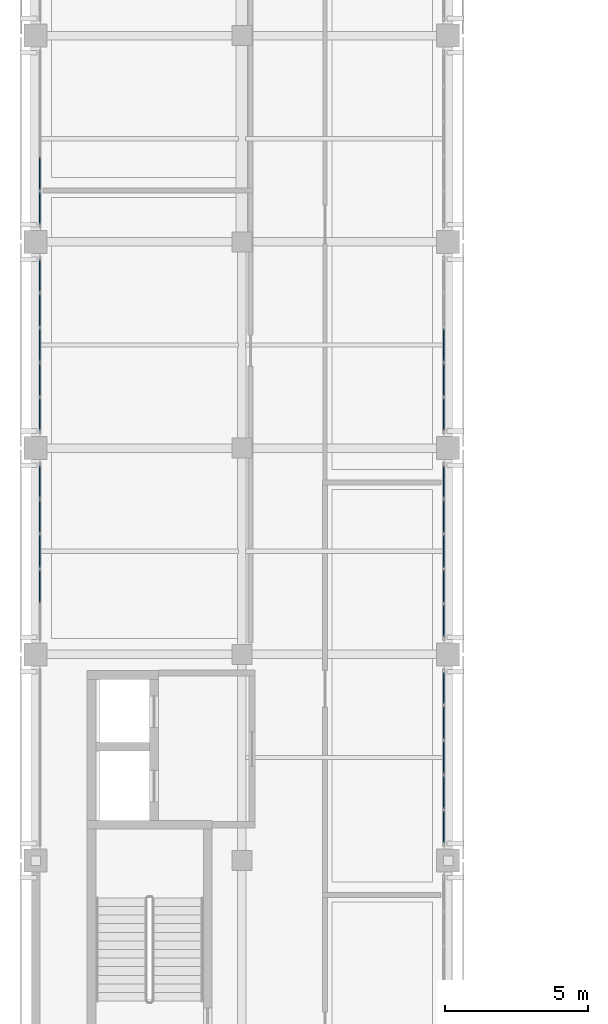
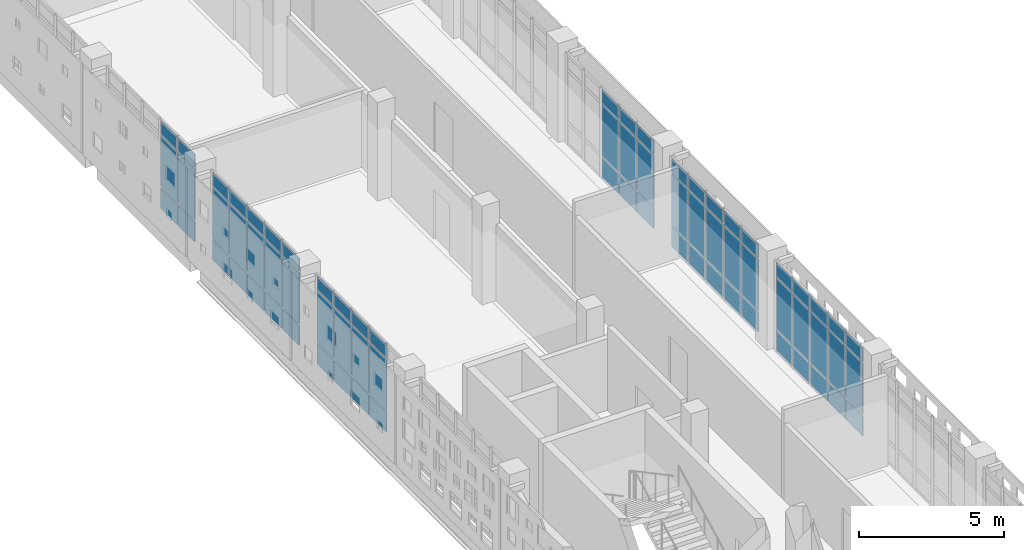
# One storey, part 19 of 33: 72 plates, 6 elements without a shape of their own.
"""IFC4 building model written with IfcOpenShell, lengths in metres."""

from ifc_helpers import new_model, si_unit, direction, frame, origin, origin_2d, place, context, subcontext, project, spatial, rectangle, extrude, material, layer, layer_set, type_object, element, aggregate, save


model = new_model("IFC4")

# Units and contexts
model_context = context("Model", 3, precision=1e-05, world=origin(), true_north=direction((0.0, 1.0)))
body_context = subcontext(model_context, "Body", "Model", "MODEL_VIEW")
ifc_project = project(units=[si_unit("LENGTHUNIT", "METRE"), si_unit("AREAUNIT", "SQUARE_METRE"), si_unit("VOLUMEUNIT", "CUBIC_METRE"), si_unit("PLANEANGLEUNIT", "RADIAN"), si_unit("MASSUNIT", "GRAM", prefix="KILO")], contexts=[model_context])

# Site, building, storey
site_placement = place(None, origin())
site = spatial("IfcSite", under=ifc_project, at=site_placement, CompositionType="ELEMENT")
building_placement = place(site_placement, origin())
building = spatial("IfcBuilding", under=site, at=building_placement, Name="Valkovuoma Quantum and Materials Research Institute", CompositionType="ELEMENT")
storey_placement = place(building_placement, frame((0.0, 0.0, 25.60009765625)))
storey = spatial("IfcBuildingStorey", under=building, at=storey_placement, Name="L06", CompositionType="ELEMENT", Elevation=25.60009765625)

# Curtain wall, plates
ifc_material_1 = material(Name="Thermally broken aluminium and triple low-E glazing", Category="aluminium")
ifc_layer_1 = layer(ifc_material_1, 0.219970703125)
ifc_layer_set_1 = layer_set([ifc_layer_1], Name="Thermally broken aluminium and triple low-E glazing")
curtain_wall_type = type_object("IfcCurtainWallType", Name="CW-CW-01", PredefinedType="NOTDEFINED", material=ifc_layer_set_1)
curtain_wall_1_placement = place(storey_placement, origin())
curtain_wall_1 = element("IfcCurtainWall", 1, at=curtain_wall_1_placement, inside=storey, type_object=curtain_wall_type, Name="L06 curtain wall 078", PredefinedType="NOTDEFINED")
ifc_material_2 = material(Name="Triple low-E argon insulating glass", Category="glass")
ifc_layer_2 = layer(ifc_material_2, 0.035888671875)
ifc_layer_set_2 = layer_set([ifc_layer_2], Name="Triple low-E argon insulating glass")
plate_type_1 = type_object("IfcPlateType", Name="CWPanel-CWP-01", PredefinedType="CURTAIN_PANEL", material=ifc_layer_set_2)
plate_1_placement = place(storey_placement, frame((0.14990234375, 45.582763671875, 0.06494140625), z_axis=(0.0, 0.0, 1.0), x_axis=(0.0, 1.0, 0.0)))
plate_1 = element("IfcPlate", 2, at=plate_1_placement, type_object=plate_type_1, Name="CW-01 panel 2.1", PredefinedType="CURTAIN_PANEL", context=body_context, shape_type="SweptSolid", body=[
    extrude(rectangle(XDim=1.152099609375, YDim=0.035888671875, at=origin_2d()), origin(), (0.0, 0.0, 1.0), 0.8525390625),
])
plate_2_placement = place(storey_placement, frame((0.14990234375, 45.582763671875, 0.982421875), z_axis=(0.0, 0.0, 1.0), x_axis=(0.0, 1.0, 0.0)))
plate_2 = element("IfcPlate", 3, at=plate_2_placement, type_object=plate_type_1, Name="CW-01 panel 2.2", PredefinedType="CURTAIN_PANEL", context=body_context, shape_type="SweptSolid", body=[
    extrude(rectangle(XDim=1.152099609375, YDim=0.035888671875, at=origin_2d()), origin(), (0.0, 0.0, 1.0), 2.14501953125),
])
plate_3_placement = place(storey_placement, frame((0.14990234375, 45.582763671875, 3.1923828125), z_axis=(0.0, 0.0, 1.0), x_axis=(0.0, 1.0, 0.0)))
plate_3 = element("IfcPlate", 4, at=plate_3_placement, type_object=plate_type_1, Name="CW-01 panel 2.3", PredefinedType="CURTAIN_PANEL", context=body_context, shape_type="SweptSolid", body=[
    extrude(rectangle(XDim=1.152099609375, YDim=0.035888671875, at=origin_2d()), origin(), (0.0, 0.0, 1.0), 0.552490234375),
])
plate_4_placement = place(storey_placement, frame((0.14990234375, 46.800048828125, 0.06494140625), z_axis=(0.0, 0.0, 1.0), x_axis=(0.0, 1.0, 0.0)))
plate_4 = element("IfcPlate", 5, at=plate_4_placement, type_object=plate_type_1, Name="CW-01 panel 3.1", PredefinedType="CURTAIN_PANEL", context=body_context, shape_type="SweptSolid", body=[
    extrude(rectangle(XDim=1.152099609375, YDim=0.035888671875, at=origin_2d()), origin(), (0.0, 0.0, 1.0), 0.8525390625),
])
plate_5_placement = place(storey_placement, frame((0.14990234375, 46.800048828125, 0.982421875), z_axis=(0.0, 0.0, 1.0), x_axis=(0.0, 1.0, 0.0)))
plate_5 = element("IfcPlate", 6, at=plate_5_placement, type_object=plate_type_1, Name="CW-01 panel 3.2", PredefinedType="CURTAIN_PANEL", context=body_context, shape_type="SweptSolid", body=[
    extrude(rectangle(XDim=1.152099609375, YDim=0.035888671875, at=origin_2d()), origin(), (0.0, 0.0, 1.0), 2.14501953125),
])
plate_6_placement = place(storey_placement, frame((0.14990234375, 46.800048828125, 3.1923828125), z_axis=(0.0, 0.0, 1.0), x_axis=(0.0, 1.0, 0.0)))
plate_6 = element("IfcPlate", 7, at=plate_6_placement, type_object=plate_type_1, Name="CW-01 panel 3.3", PredefinedType="CURTAIN_PANEL", context=body_context, shape_type="SweptSolid", body=[
    extrude(rectangle(XDim=1.152099609375, YDim=0.035888671875, at=origin_2d()), origin(), (0.0, 0.0, 1.0), 0.552490234375),
])
plate_7_placement = place(storey_placement, frame((0.14990234375, 48.01708984375, 0.06494140625), z_axis=(0.0, 0.0, 1.0), x_axis=(0.0, 1.0, 0.0)))
plate_7 = element("IfcPlate", 8, at=plate_7_placement, type_object=plate_type_1, Name="CW-01 panel 4.1", PredefinedType="CURTAIN_PANEL", context=body_context, shape_type="SweptSolid", body=[
    extrude(rectangle(XDim=1.152099609375, YDim=0.035888671875, at=origin_2d()), origin(), (0.0, 0.0, 1.0), 0.8525390625),
])
plate_8_placement = place(storey_placement, frame((0.14990234375, 48.01708984375, 0.982421875), z_axis=(0.0, 0.0, 1.0), x_axis=(0.0, 1.0, 0.0)))
plate_8 = element("IfcPlate", 9, at=plate_8_placement, type_object=plate_type_1, Name="CW-01 panel 4.2", PredefinedType="CURTAIN_PANEL", context=body_context, shape_type="SweptSolid", body=[
    extrude(rectangle(XDim=1.152099609375, YDim=0.035888671875, at=origin_2d()), origin(), (0.0, 0.0, 1.0), 2.14501953125),
])
plate_9_placement = place(storey_placement, frame((0.14990234375, 48.01708984375, 3.1923828125), z_axis=(0.0, 0.0, 1.0), x_axis=(0.0, 1.0, 0.0)))
plate_9 = element("IfcPlate", 10, at=plate_9_placement, type_object=plate_type_1, Name="CW-01 panel 4.3", PredefinedType="CURTAIN_PANEL", context=body_context, shape_type="SweptSolid", body=[
    extrude(rectangle(XDim=1.152099609375, YDim=0.035888671875, at=origin_2d()), origin(), (0.0, 0.0, 1.0), 0.552490234375),
])
plate_10_placement = place(storey_placement, frame((0.14990234375, 49.218017578125, 0.06494140625), z_axis=(0.0, 0.0, 1.0), x_axis=(0.0, 1.0, 0.0)))
plate_10 = element("IfcPlate", 11, at=plate_10_placement, type_object=plate_type_1, Name="CW-01 panel 5.1", PredefinedType="CURTAIN_PANEL", context=body_context, shape_type="SweptSolid", body=[
    extrude(rectangle(XDim=1.11962890625, YDim=0.035888671875, at=origin_2d()), origin(), (0.0, 0.0, 1.0), 0.8525390625),
])
plate_11_placement = place(storey_placement, frame((0.14990234375, 49.218017578125, 0.982421875), z_axis=(0.0, 0.0, 1.0), x_axis=(0.0, 1.0, 0.0)))
plate_11 = element("IfcPlate", 12, at=plate_11_placement, type_object=plate_type_1, Name="CW-01 panel 5.2", PredefinedType="CURTAIN_PANEL", context=body_context, shape_type="SweptSolid", body=[
    extrude(rectangle(XDim=1.11962890625, YDim=0.035888671875, at=origin_2d()), origin(), (0.0, 0.0, 1.0), 2.14501953125),
])
plate_12_placement = place(storey_placement, frame((0.14990234375, 49.218017578125, 3.1923828125), z_axis=(0.0, 0.0, 1.0), x_axis=(0.0, 1.0, 0.0)))
plate_12 = element("IfcPlate", 13, at=plate_12_placement, type_object=plate_type_1, Name="CW-01 panel 5.3", PredefinedType="CURTAIN_PANEL", context=body_context, shape_type="SweptSolid", body=[
    extrude(rectangle(XDim=1.11962890625, YDim=0.035888671875, at=origin_2d()), origin(), (0.0, 0.0, 1.0), 0.552490234375),
])
aggregate(curtain_wall_1, [plate_1, plate_2, plate_3, plate_4, plate_5, plate_6, plate_7, plate_8, plate_9, plate_10, plate_11, plate_12])

curtain_wall_2_placement = place(storey_placement, origin())
curtain_wall_2 = element("IfcCurtainWall", 14, at=curtain_wall_2_placement, inside=storey, type_object=curtain_wall_type, Name="L06 curtain wall 080", PredefinedType="NOTDEFINED")
plate_13_placement = place(storey_placement, frame((0.14990234375, 51.58203125, 0.06494140625), z_axis=(0.0, 0.0, 1.0), x_axis=(0.0, 1.0, 0.0)))
plate_13 = element("IfcPlate", 15, at=plate_13_placement, type_object=plate_type_1, Name="CW-01 panel 1.1", PredefinedType="CURTAIN_PANEL", context=body_context, shape_type="SweptSolid", body=[
    extrude(rectangle(XDim=1.11962890625, YDim=0.035888671875, at=origin_2d()), origin(), (0.0, 0.0, 1.0), 0.8525390625),
])
plate_14_placement = place(storey_placement, frame((0.14990234375, 51.58203125, 0.982421875), z_axis=(0.0, 0.0, 1.0), x_axis=(0.0, 1.0, 0.0)))
plate_14 = element("IfcPlate", 16, at=plate_14_placement, type_object=plate_type_1, Name="CW-01 panel 1.2", PredefinedType="CURTAIN_PANEL", context=body_context, shape_type="SweptSolid", body=[
    extrude(rectangle(XDim=1.11962890625, YDim=0.035888671875, at=origin_2d()), origin(), (0.0, 0.0, 1.0), 2.14501953125),
])
plate_15_placement = place(storey_placement, frame((0.14990234375, 51.58203125, 3.1923828125), z_axis=(0.0, 0.0, 1.0), x_axis=(0.0, 1.0, 0.0)))
plate_15 = element("IfcPlate", 17, at=plate_15_placement, type_object=plate_type_1, Name="CW-01 panel 1.3", PredefinedType="CURTAIN_PANEL", context=body_context, shape_type="SweptSolid", body=[
    extrude(rectangle(XDim=1.11962890625, YDim=0.035888671875, at=origin_2d()), origin(), (0.0, 0.0, 1.0), 0.552490234375),
])
plate_16_placement = place(storey_placement, frame((0.14990234375, 52.782958984375, 0.06494140625), z_axis=(0.0, 0.0, 1.0), x_axis=(0.0, 1.0, 0.0)))
plate_16 = element("IfcPlate", 18, at=plate_16_placement, type_object=plate_type_1, Name="CW-01 panel 2.1", PredefinedType="CURTAIN_PANEL", context=body_context, shape_type="SweptSolid", body=[
    extrude(rectangle(XDim=1.152099609375, YDim=0.035888671875, at=origin_2d()), origin(), (0.0, 0.0, 1.0), 0.8525390625),
])
plate_17_placement = place(storey_placement, frame((0.14990234375, 52.782958984375, 0.982421875), z_axis=(0.0, 0.0, 1.0), x_axis=(0.0, 1.0, 0.0)))
plate_17 = element("IfcPlate", 19, at=plate_17_placement, type_object=plate_type_1, Name="CW-01 panel 2.2", PredefinedType="CURTAIN_PANEL", context=body_context, shape_type="SweptSolid", body=[
    extrude(rectangle(XDim=1.152099609375, YDim=0.035888671875, at=origin_2d()), origin(), (0.0, 0.0, 1.0), 2.14501953125),
])
plate_18_placement = place(storey_placement, frame((0.14990234375, 52.782958984375, 3.1923828125), z_axis=(0.0, 0.0, 1.0), x_axis=(0.0, 1.0, 0.0)))
plate_18 = element("IfcPlate", 20, at=plate_18_placement, type_object=plate_type_1, Name="CW-01 panel 2.3", PredefinedType="CURTAIN_PANEL", context=body_context, shape_type="SweptSolid", body=[
    extrude(rectangle(XDim=1.152099609375, YDim=0.035888671875, at=origin_2d()), origin(), (0.0, 0.0, 1.0), 0.552490234375),
])
plate_19_placement = place(storey_placement, frame((0.14990234375, 54.0, 0.06494140625), z_axis=(0.0, 0.0, 1.0), x_axis=(0.0, 1.0, 0.0)))
plate_19 = element("IfcPlate", 21, at=plate_19_placement, type_object=plate_type_1, Name="CW-01 panel 3.1", PredefinedType="CURTAIN_PANEL", context=body_context, shape_type="SweptSolid", body=[
    extrude(rectangle(XDim=1.152099609375, YDim=0.035888671875, at=origin_2d()), origin(), (0.0, 0.0, 1.0), 0.8525390625),
])
plate_20_placement = place(storey_placement, frame((0.14990234375, 54.0, 0.982421875), z_axis=(0.0, 0.0, 1.0), x_axis=(0.0, 1.0, 0.0)))
plate_20 = element("IfcPlate", 22, at=plate_20_placement, type_object=plate_type_1, Name="CW-01 panel 3.2", PredefinedType="CURTAIN_PANEL", context=body_context, shape_type="SweptSolid", body=[
    extrude(rectangle(XDim=1.152099609375, YDim=0.035888671875, at=origin_2d()), origin(), (0.0, 0.0, 1.0), 2.14501953125),
])
plate_21_placement = place(storey_placement, frame((0.14990234375, 54.0, 3.1923828125), z_axis=(0.0, 0.0, 1.0), x_axis=(0.0, 1.0, 0.0)))
plate_21 = element("IfcPlate", 23, at=plate_21_placement, type_object=plate_type_1, Name="CW-01 panel 3.3", PredefinedType="CURTAIN_PANEL", context=body_context, shape_type="SweptSolid", body=[
    extrude(rectangle(XDim=1.152099609375, YDim=0.035888671875, at=origin_2d()), origin(), (0.0, 0.0, 1.0), 0.552490234375),
])
plate_22_placement = place(storey_placement, frame((0.14990234375, 55.217041015625, 0.06494140625), z_axis=(0.0, 0.0, 1.0), x_axis=(0.0, 1.0, 0.0)))
plate_22 = element("IfcPlate", 24, at=plate_22_placement, type_object=plate_type_1, Name="CW-01 panel 4.1", PredefinedType="CURTAIN_PANEL", context=body_context, shape_type="SweptSolid", body=[
    extrude(rectangle(XDim=1.152099609375, YDim=0.035888671875, at=origin_2d()), origin(), (0.0, 0.0, 1.0), 0.8525390625),
])
plate_23_placement = place(storey_placement, frame((0.14990234375, 55.217041015625, 0.982421875), z_axis=(0.0, 0.0, 1.0), x_axis=(0.0, 1.0, 0.0)))
plate_23 = element("IfcPlate", 25, at=plate_23_placement, type_object=plate_type_1, Name="CW-01 panel 4.2", PredefinedType="CURTAIN_PANEL", context=body_context, shape_type="SweptSolid", body=[
    extrude(rectangle(XDim=1.152099609375, YDim=0.035888671875, at=origin_2d()), origin(), (0.0, 0.0, 1.0), 2.14501953125),
])
plate_24_placement = place(storey_placement, frame((0.14990234375, 55.217041015625, 3.1923828125), z_axis=(0.0, 0.0, 1.0), x_axis=(0.0, 1.0, 0.0)))
plate_24 = element("IfcPlate", 26, at=plate_24_placement, type_object=plate_type_1, Name="CW-01 panel 4.3", PredefinedType="CURTAIN_PANEL", context=body_context, shape_type="SweptSolid", body=[
    extrude(rectangle(XDim=1.152099609375, YDim=0.035888671875, at=origin_2d()), origin(), (0.0, 0.0, 1.0), 0.552490234375),
])
plate_25_placement = place(storey_placement, frame((0.14990234375, 56.41796875, 0.06494140625), z_axis=(0.0, 0.0, 1.0), x_axis=(0.0, 1.0, 0.0)))
plate_25 = element("IfcPlate", 27, at=plate_25_placement, type_object=plate_type_1, Name="CW-01 panel 5.1", PredefinedType="CURTAIN_PANEL", context=body_context, shape_type="SweptSolid", body=[
    extrude(rectangle(XDim=1.11962890625, YDim=0.035888671875, at=origin_2d()), origin(), (0.0, 0.0, 1.0), 0.8525390625),
])
plate_26_placement = place(storey_placement, frame((0.14990234375, 56.41796875, 0.982421875), z_axis=(0.0, 0.0, 1.0), x_axis=(0.0, 1.0, 0.0)))
plate_26 = element("IfcPlate", 28, at=plate_26_placement, type_object=plate_type_1, Name="CW-01 panel 5.2", PredefinedType="CURTAIN_PANEL", context=body_context, shape_type="SweptSolid", body=[
    extrude(rectangle(XDim=1.11962890625, YDim=0.035888671875, at=origin_2d()), origin(), (0.0, 0.0, 1.0), 2.14501953125),
])
plate_27_placement = place(storey_placement, frame((0.14990234375, 56.41796875, 3.1923828125), z_axis=(0.0, 0.0, 1.0), x_axis=(0.0, 1.0, 0.0)))
plate_27 = element("IfcPlate", 29, at=plate_27_placement, type_object=plate_type_1, Name="CW-01 panel 5.3", PredefinedType="CURTAIN_PANEL", context=body_context, shape_type="SweptSolid", body=[
    extrude(rectangle(XDim=1.11962890625, YDim=0.035888671875, at=origin_2d()), origin(), (0.0, 0.0, 1.0), 0.552490234375),
])
aggregate(curtain_wall_2, [plate_13, plate_14, plate_15, plate_16, plate_17, plate_18, plate_19, plate_20, plate_21, plate_22, plate_23, plate_24, plate_25, plate_26, plate_27])

curtain_wall_3_placement = place(storey_placement, origin())
curtain_wall_3 = element("IfcCurtainWall", 30, at=curtain_wall_3_placement, inside=storey, type_object=curtain_wall_type, Name="L06 curtain wall 082", PredefinedType="NOTDEFINED")
plate_28_placement = place(storey_placement, frame((0.14990234375, 58.781982421875, 0.06494140625), z_axis=(0.0, 0.0, 1.0), x_axis=(0.0, 1.0, 0.0)))
plate_28 = element("IfcPlate", 31, at=plate_28_placement, type_object=plate_type_1, Name="CW-01 panel 1.1", PredefinedType="CURTAIN_PANEL", context=body_context, shape_type="SweptSolid", body=[
    extrude(rectangle(XDim=1.11962890625, YDim=0.035888671875, at=origin_2d()), origin(), (0.0, 0.0, 1.0), 0.8525390625),
])
plate_29_placement = place(storey_placement, frame((0.14990234375, 58.781982421875, 0.982421875), z_axis=(0.0, 0.0, 1.0), x_axis=(0.0, 1.0, 0.0)))
plate_29 = element("IfcPlate", 32, at=plate_29_placement, type_object=plate_type_1, Name="CW-01 panel 1.2", PredefinedType="CURTAIN_PANEL", context=body_context, shape_type="SweptSolid", body=[
    extrude(rectangle(XDim=1.11962890625, YDim=0.035888671875, at=origin_2d()), origin(), (0.0, 0.0, 1.0), 2.14501953125),
])
plate_30_placement = place(storey_placement, frame((0.14990234375, 58.781982421875, 3.1923828125), z_axis=(0.0, 0.0, 1.0), x_axis=(0.0, 1.0, 0.0)))
plate_30 = element("IfcPlate", 33, at=plate_30_placement, type_object=plate_type_1, Name="CW-01 panel 1.3", PredefinedType="CURTAIN_PANEL", context=body_context, shape_type="SweptSolid", body=[
    extrude(rectangle(XDim=1.11962890625, YDim=0.035888671875, at=origin_2d()), origin(), (0.0, 0.0, 1.0), 0.552490234375),
])
plate_31_placement = place(storey_placement, frame((0.14990234375, 59.98291015625, 0.06494140625), z_axis=(0.0, 0.0, 1.0), x_axis=(0.0, 1.0, 0.0)))
plate_31 = element("IfcPlate", 34, at=plate_31_placement, type_object=plate_type_1, Name="CW-01 panel 2.1", PredefinedType="CURTAIN_PANEL", context=body_context, shape_type="SweptSolid", body=[
    extrude(rectangle(XDim=1.152099609375, YDim=0.035888671875, at=origin_2d()), origin(), (0.0, 0.0, 1.0), 0.8525390625),
])
plate_32_placement = place(storey_placement, frame((0.14990234375, 59.98291015625, 0.982421875), z_axis=(0.0, 0.0, 1.0), x_axis=(0.0, 1.0, 0.0)))
plate_32 = element("IfcPlate", 35, at=plate_32_placement, type_object=plate_type_1, Name="CW-01 panel 2.2", PredefinedType="CURTAIN_PANEL", context=body_context, shape_type="SweptSolid", body=[
    extrude(rectangle(XDim=1.152099609375, YDim=0.035888671875, at=origin_2d()), origin(), (0.0, 0.0, 1.0), 2.14501953125),
])
plate_33_placement = place(storey_placement, frame((0.14990234375, 59.98291015625, 3.1923828125), z_axis=(0.0, 0.0, 1.0), x_axis=(0.0, 1.0, 0.0)))
plate_33 = element("IfcPlate", 36, at=plate_33_placement, type_object=plate_type_1, Name="CW-01 panel 2.3", PredefinedType="CURTAIN_PANEL", context=body_context, shape_type="SweptSolid", body=[
    extrude(rectangle(XDim=1.152099609375, YDim=0.035888671875, at=origin_2d()), origin(), (0.0, 0.0, 1.0), 0.552490234375),
])
aggregate(curtain_wall_3, [plate_28, plate_29, plate_30, plate_31, plate_32, plate_33])

curtain_wall_4_placement = place(storey_placement, origin())
curtain_wall_4 = element("IfcCurtainWall", 37, at=curtain_wall_4_placement, inside=storey, type_object=curtain_wall_type, Name="L06 curtain wall 077", PredefinedType="NOTDEFINED")
ifc_material_3 = material(Name="Triple low-E argon insulating glass", Category="glass")
ifc_layer_3 = layer(ifc_material_3, 0.0419921875)
ifc_layer_set_3 = layer_set([ifc_layer_3], Name="Triple low-E argon insulating glass")
plate_type_2 = type_object("IfcPlateType", Name="CWPanel-CWP-02", PredefinedType="CURTAIN_PANEL", material=ifc_layer_set_3)
plate_34_placement = place(storey_placement, frame((14.25, 37.181884765625, 0.06494140625), z_axis=(0.0, 0.0, 1.0), x_axis=(0.0, 1.0, 0.0)))
plate_34 = element("IfcPlate", 38, at=plate_34_placement, type_object=plate_type_2, Name="CW-01 panel 1.1", PredefinedType="CURTAIN_PANEL", context=body_context, shape_type="SweptSolid", body=[
    extrude(rectangle(XDim=1.11962890625, YDim=0.0419921875, at=origin_2d()), origin(), (0.0, 0.0, 1.0), 0.8525390625),
])
plate_35_placement = place(storey_placement, frame((14.25, 37.181884765625, 0.982421875), z_axis=(0.0, 0.0, 1.0), x_axis=(0.0, 1.0, 0.0)))
plate_35 = element("IfcPlate", 39, at=plate_35_placement, type_object=plate_type_2, Name="CW-01 panel 1.2", PredefinedType="CURTAIN_PANEL", context=body_context, shape_type="SweptSolid", body=[
    extrude(rectangle(XDim=1.11962890625, YDim=0.0419921875, at=origin_2d()), origin(), (0.0, 0.0, 1.0), 2.14501953125),
])
plate_36_placement = place(storey_placement, frame((14.25, 37.181884765625, 3.1923828125), z_axis=(0.0, 0.0, 1.0), x_axis=(0.0, 1.0, 0.0)))
plate_36 = element("IfcPlate", 40, at=plate_36_placement, type_object=plate_type_2, Name="CW-01 panel 1.3", PredefinedType="CURTAIN_PANEL", context=body_context, shape_type="SweptSolid", body=[
    extrude(rectangle(XDim=1.11962890625, YDim=0.0419921875, at=origin_2d()), origin(), (0.0, 0.0, 1.0), 0.552490234375),
])
plate_37_placement = place(storey_placement, frame((14.25, 38.3828125, 0.06494140625), z_axis=(0.0, 0.0, 1.0), x_axis=(0.0, 1.0, 0.0)))
plate_37 = element("IfcPlate", 41, at=plate_37_placement, type_object=plate_type_2, Name="CW-01 panel 2.1", PredefinedType="CURTAIN_PANEL", context=body_context, shape_type="SweptSolid", body=[
    extrude(rectangle(XDim=1.152099609375, YDim=0.0419921875, at=origin_2d()), origin(), (0.0, 0.0, 1.0), 0.8525390625),
])
plate_38_placement = place(storey_placement, frame((14.25, 38.3828125, 0.982421875), z_axis=(0.0, 0.0, 1.0), x_axis=(0.0, 1.0, 0.0)))
plate_38 = element("IfcPlate", 42, at=plate_38_placement, type_object=plate_type_2, Name="CW-01 panel 2.2", PredefinedType="CURTAIN_PANEL", context=body_context, shape_type="SweptSolid", body=[
    extrude(rectangle(XDim=1.152099609375, YDim=0.0419921875, at=origin_2d()), origin(), (0.0, 0.0, 1.0), 2.14501953125),
])
plate_39_placement = place(storey_placement, frame((14.25, 38.3828125, 3.1923828125), z_axis=(0.0, 0.0, 1.0), x_axis=(0.0, 1.0, 0.0)))
plate_39 = element("IfcPlate", 43, at=plate_39_placement, type_object=plate_type_2, Name="CW-01 panel 2.3", PredefinedType="CURTAIN_PANEL", context=body_context, shape_type="SweptSolid", body=[
    extrude(rectangle(XDim=1.152099609375, YDim=0.0419921875, at=origin_2d()), origin(), (0.0, 0.0, 1.0), 0.552490234375),
])
plate_40_placement = place(storey_placement, frame((14.25, 39.60009765625, 0.06494140625), z_axis=(0.0, 0.0, 1.0), x_axis=(0.0, 1.0, 0.0)))
plate_40 = element("IfcPlate", 44, at=plate_40_placement, type_object=plate_type_2, Name="CW-01 panel 3.1", PredefinedType="CURTAIN_PANEL", context=body_context, shape_type="SweptSolid", body=[
    extrude(rectangle(XDim=1.152099609375, YDim=0.0419921875, at=origin_2d()), origin(), (0.0, 0.0, 1.0), 0.8525390625),
])
plate_41_placement = place(storey_placement, frame((14.25, 39.60009765625, 0.982421875), z_axis=(0.0, 0.0, 1.0), x_axis=(0.0, 1.0, 0.0)))
plate_41 = element("IfcPlate", 45, at=plate_41_placement, type_object=plate_type_2, Name="CW-01 panel 3.2", PredefinedType="CURTAIN_PANEL", context=body_context, shape_type="SweptSolid", body=[
    extrude(rectangle(XDim=1.152099609375, YDim=0.0419921875, at=origin_2d()), origin(), (0.0, 0.0, 1.0), 2.14501953125),
])
plate_42_placement = place(storey_placement, frame((14.25, 39.60009765625, 3.1923828125), z_axis=(0.0, 0.0, 1.0), x_axis=(0.0, 1.0, 0.0)))
plate_42 = element("IfcPlate", 46, at=plate_42_placement, type_object=plate_type_2, Name="CW-01 panel 3.3", PredefinedType="CURTAIN_PANEL", context=body_context, shape_type="SweptSolid", body=[
    extrude(rectangle(XDim=1.152099609375, YDim=0.0419921875, at=origin_2d()), origin(), (0.0, 0.0, 1.0), 0.552490234375),
])
plate_43_placement = place(storey_placement, frame((14.25, 40.817138671875, 0.06494140625), z_axis=(0.0, 0.0, 1.0), x_axis=(0.0, 1.0, 0.0)))
plate_43 = element("IfcPlate", 47, at=plate_43_placement, type_object=plate_type_2, Name="CW-01 panel 4.1", PredefinedType="CURTAIN_PANEL", context=body_context, shape_type="SweptSolid", body=[
    extrude(rectangle(XDim=1.152099609375, YDim=0.0419921875, at=origin_2d()), origin(), (0.0, 0.0, 1.0), 0.8525390625),
])
plate_44_placement = place(storey_placement, frame((14.25, 40.817138671875, 0.982421875), z_axis=(0.0, 0.0, 1.0), x_axis=(0.0, 1.0, 0.0)))
plate_44 = element("IfcPlate", 48, at=plate_44_placement, type_object=plate_type_2, Name="CW-01 panel 4.2", PredefinedType="CURTAIN_PANEL", context=body_context, shape_type="SweptSolid", body=[
    extrude(rectangle(XDim=1.152099609375, YDim=0.0419921875, at=origin_2d()), origin(), (0.0, 0.0, 1.0), 2.14501953125),
])
plate_45_placement = place(storey_placement, frame((14.25, 40.817138671875, 3.1923828125), z_axis=(0.0, 0.0, 1.0), x_axis=(0.0, 1.0, 0.0)))
plate_45 = element("IfcPlate", 49, at=plate_45_placement, type_object=plate_type_2, Name="CW-01 panel 4.3", PredefinedType="CURTAIN_PANEL", context=body_context, shape_type="SweptSolid", body=[
    extrude(rectangle(XDim=1.152099609375, YDim=0.0419921875, at=origin_2d()), origin(), (0.0, 0.0, 1.0), 0.552490234375),
])
plate_46_placement = place(storey_placement, frame((14.25, 42.01806640625, 0.06494140625), z_axis=(0.0, 0.0, 1.0), x_axis=(0.0, 1.0, 0.0)))
plate_46 = element("IfcPlate", 50, at=plate_46_placement, type_object=plate_type_2, Name="CW-01 panel 5.1", PredefinedType="CURTAIN_PANEL", context=body_context, shape_type="SweptSolid", body=[
    extrude(rectangle(XDim=1.11962890625, YDim=0.0419921875, at=origin_2d()), origin(), (0.0, 0.0, 1.0), 0.8525390625),
])
plate_47_placement = place(storey_placement, frame((14.25, 42.01806640625, 0.982421875), z_axis=(0.0, 0.0, 1.0), x_axis=(0.0, 1.0, 0.0)))
plate_47 = element("IfcPlate", 51, at=plate_47_placement, type_object=plate_type_2, Name="CW-01 panel 5.2", PredefinedType="CURTAIN_PANEL", context=body_context, shape_type="SweptSolid", body=[
    extrude(rectangle(XDim=1.11962890625, YDim=0.0419921875, at=origin_2d()), origin(), (0.0, 0.0, 1.0), 2.14501953125),
])
plate_48_placement = place(storey_placement, frame((14.25, 42.01806640625, 3.1923828125), z_axis=(0.0, 0.0, 1.0), x_axis=(0.0, 1.0, 0.0)))
plate_48 = element("IfcPlate", 52, at=plate_48_placement, type_object=plate_type_2, Name="CW-01 panel 5.3", PredefinedType="CURTAIN_PANEL", context=body_context, shape_type="SweptSolid", body=[
    extrude(rectangle(XDim=1.11962890625, YDim=0.0419921875, at=origin_2d()), origin(), (0.0, 0.0, 1.0), 0.552490234375),
])
aggregate(curtain_wall_4, [plate_34, plate_35, plate_36, plate_37, plate_38, plate_39, plate_40, plate_41, plate_42, plate_43, plate_44, plate_45, plate_46, plate_47, plate_48])

curtain_wall_5_placement = place(storey_placement, origin())
curtain_wall_5 = element("IfcCurtainWall", 53, at=curtain_wall_5_placement, inside=storey, type_object=curtain_wall_type, Name="L06 curtain wall 079", PredefinedType="NOTDEFINED")
plate_49_placement = place(storey_placement, frame((14.25, 44.3818359375, 0.06494140625), z_axis=(0.0, 0.0, 1.0), x_axis=(0.0, 1.0, 0.0)))
plate_49 = element("IfcPlate", 54, at=plate_49_placement, type_object=plate_type_2, Name="CW-01 panel 1.1", PredefinedType="CURTAIN_PANEL", context=body_context, shape_type="SweptSolid", body=[
    extrude(rectangle(XDim=1.11962890625, YDim=0.0419921875, at=origin_2d()), origin(), (0.0, 0.0, 1.0), 0.8525390625),
])
plate_50_placement = place(storey_placement, frame((14.25, 44.3818359375, 0.982421875), z_axis=(0.0, 0.0, 1.0), x_axis=(0.0, 1.0, 0.0)))
plate_50 = element("IfcPlate", 55, at=plate_50_placement, type_object=plate_type_2, Name="CW-01 panel 1.2", PredefinedType="CURTAIN_PANEL", context=body_context, shape_type="SweptSolid", body=[
    extrude(rectangle(XDim=1.11962890625, YDim=0.0419921875, at=origin_2d()), origin(), (0.0, 0.0, 1.0), 2.14501953125),
])
plate_51_placement = place(storey_placement, frame((14.25, 44.3818359375, 3.1923828125), z_axis=(0.0, 0.0, 1.0), x_axis=(0.0, 1.0, 0.0)))
plate_51 = element("IfcPlate", 56, at=plate_51_placement, type_object=plate_type_2, Name="CW-01 panel 1.3", PredefinedType="CURTAIN_PANEL", context=body_context, shape_type="SweptSolid", body=[
    extrude(rectangle(XDim=1.11962890625, YDim=0.0419921875, at=origin_2d()), origin(), (0.0, 0.0, 1.0), 0.552490234375),
])
plate_52_placement = place(storey_placement, frame((14.25, 45.582763671875, 0.06494140625), z_axis=(0.0, 0.0, 1.0), x_axis=(0.0, 1.0, 0.0)))
plate_52 = element("IfcPlate", 57, at=plate_52_placement, type_object=plate_type_2, Name="CW-01 panel 2.1", PredefinedType="CURTAIN_PANEL", context=body_context, shape_type="SweptSolid", body=[
    extrude(rectangle(XDim=1.152099609375, YDim=0.0419921875, at=origin_2d()), origin(), (0.0, 0.0, 1.0), 0.8525390625),
])
plate_53_placement = place(storey_placement, frame((14.25, 45.582763671875, 0.982421875), z_axis=(0.0, 0.0, 1.0), x_axis=(0.0, 1.0, 0.0)))
plate_53 = element("IfcPlate", 58, at=plate_53_placement, type_object=plate_type_2, Name="CW-01 panel 2.2", PredefinedType="CURTAIN_PANEL", context=body_context, shape_type="SweptSolid", body=[
    extrude(rectangle(XDim=1.152099609375, YDim=0.0419921875, at=origin_2d()), origin(), (0.0, 0.0, 1.0), 2.14501953125),
])
plate_54_placement = place(storey_placement, frame((14.25, 45.582763671875, 3.1923828125), z_axis=(0.0, 0.0, 1.0), x_axis=(0.0, 1.0, 0.0)))
plate_54 = element("IfcPlate", 59, at=plate_54_placement, type_object=plate_type_2, Name="CW-01 panel 2.3", PredefinedType="CURTAIN_PANEL", context=body_context, shape_type="SweptSolid", body=[
    extrude(rectangle(XDim=1.152099609375, YDim=0.0419921875, at=origin_2d()), origin(), (0.0, 0.0, 1.0), 0.552490234375),
])
plate_55_placement = place(storey_placement, frame((14.25, 46.800048828125, 0.06494140625), z_axis=(0.0, 0.0, 1.0), x_axis=(0.0, 1.0, 0.0)))
plate_55 = element("IfcPlate", 60, at=plate_55_placement, type_object=plate_type_2, Name="CW-01 panel 3.1", PredefinedType="CURTAIN_PANEL", context=body_context, shape_type="SweptSolid", body=[
    extrude(rectangle(XDim=1.152099609375, YDim=0.0419921875, at=origin_2d()), origin(), (0.0, 0.0, 1.0), 0.8525390625),
])
plate_56_placement = place(storey_placement, frame((14.25, 46.800048828125, 0.982421875), z_axis=(0.0, 0.0, 1.0), x_axis=(0.0, 1.0, 0.0)))
plate_56 = element("IfcPlate", 61, at=plate_56_placement, type_object=plate_type_2, Name="CW-01 panel 3.2", PredefinedType="CURTAIN_PANEL", context=body_context, shape_type="SweptSolid", body=[
    extrude(rectangle(XDim=1.152099609375, YDim=0.0419921875, at=origin_2d()), origin(), (0.0, 0.0, 1.0), 2.14501953125),
])
plate_57_placement = place(storey_placement, frame((14.25, 46.800048828125, 3.1923828125), z_axis=(0.0, 0.0, 1.0), x_axis=(0.0, 1.0, 0.0)))
plate_57 = element("IfcPlate", 62, at=plate_57_placement, type_object=plate_type_2, Name="CW-01 panel 3.3", PredefinedType="CURTAIN_PANEL", context=body_context, shape_type="SweptSolid", body=[
    extrude(rectangle(XDim=1.152099609375, YDim=0.0419921875, at=origin_2d()), origin(), (0.0, 0.0, 1.0), 0.552490234375),
])
plate_58_placement = place(storey_placement, frame((14.25, 48.01708984375, 0.06494140625), z_axis=(0.0, 0.0, 1.0), x_axis=(0.0, 1.0, 0.0)))
plate_58 = element("IfcPlate", 63, at=plate_58_placement, type_object=plate_type_2, Name="CW-01 panel 4.1", PredefinedType="CURTAIN_PANEL", context=body_context, shape_type="SweptSolid", body=[
    extrude(rectangle(XDim=1.152099609375, YDim=0.0419921875, at=origin_2d()), origin(), (0.0, 0.0, 1.0), 0.8525390625),
])
plate_59_placement = place(storey_placement, frame((14.25, 48.01708984375, 0.982421875), z_axis=(0.0, 0.0, 1.0), x_axis=(0.0, 1.0, 0.0)))
plate_59 = element("IfcPlate", 64, at=plate_59_placement, type_object=plate_type_2, Name="CW-01 panel 4.2", PredefinedType="CURTAIN_PANEL", context=body_context, shape_type="SweptSolid", body=[
    extrude(rectangle(XDim=1.152099609375, YDim=0.0419921875, at=origin_2d()), origin(), (0.0, 0.0, 1.0), 2.14501953125),
])
plate_60_placement = place(storey_placement, frame((14.25, 48.01708984375, 3.1923828125), z_axis=(0.0, 0.0, 1.0), x_axis=(0.0, 1.0, 0.0)))
plate_60 = element("IfcPlate", 65, at=plate_60_placement, type_object=plate_type_2, Name="CW-01 panel 4.3", PredefinedType="CURTAIN_PANEL", context=body_context, shape_type="SweptSolid", body=[
    extrude(rectangle(XDim=1.152099609375, YDim=0.0419921875, at=origin_2d()), origin(), (0.0, 0.0, 1.0), 0.552490234375),
])
plate_61_placement = place(storey_placement, frame((14.25, 49.218017578125, 0.06494140625), z_axis=(0.0, 0.0, 1.0), x_axis=(0.0, 1.0, 0.0)))
plate_61 = element("IfcPlate", 66, at=plate_61_placement, type_object=plate_type_2, Name="CW-01 panel 5.1", PredefinedType="CURTAIN_PANEL", context=body_context, shape_type="SweptSolid", body=[
    extrude(rectangle(XDim=1.11962890625, YDim=0.0419921875, at=origin_2d()), origin(), (0.0, 0.0, 1.0), 0.8525390625),
])
plate_62_placement = place(storey_placement, frame((14.25, 49.218017578125, 0.982421875), z_axis=(0.0, 0.0, 1.0), x_axis=(0.0, 1.0, 0.0)))
plate_62 = element("IfcPlate", 67, at=plate_62_placement, type_object=plate_type_2, Name="CW-01 panel 5.2", PredefinedType="CURTAIN_PANEL", context=body_context, shape_type="SweptSolid", body=[
    extrude(rectangle(XDim=1.11962890625, YDim=0.0419921875, at=origin_2d()), origin(), (0.0, 0.0, 1.0), 2.14501953125),
])
plate_63_placement = place(storey_placement, frame((14.25, 49.218017578125, 3.1923828125), z_axis=(0.0, 0.0, 1.0), x_axis=(0.0, 1.0, 0.0)))
plate_63 = element("IfcPlate", 68, at=plate_63_placement, type_object=plate_type_2, Name="CW-01 panel 5.3", PredefinedType="CURTAIN_PANEL", context=body_context, shape_type="SweptSolid", body=[
    extrude(rectangle(XDim=1.11962890625, YDim=0.0419921875, at=origin_2d()), origin(), (0.0, 0.0, 1.0), 0.552490234375),
])
aggregate(curtain_wall_5, [plate_49, plate_50, plate_51, plate_52, plate_53, plate_54, plate_55, plate_56, plate_57, plate_58, plate_59, plate_60, plate_61, plate_62, plate_63])

curtain_wall_6_placement = place(storey_placement, origin())
curtain_wall_6 = element("IfcCurtainWall", 69, at=curtain_wall_6_placement, inside=storey, type_object=curtain_wall_type, Name="L06 curtain wall 081", PredefinedType="NOTDEFINED")
plate_64_placement = place(storey_placement, frame((14.25, 51.58203125, 0.06494140625), z_axis=(0.0, 0.0, 1.0), x_axis=(0.0, 1.0, 0.0)))
plate_64 = element("IfcPlate", 70, at=plate_64_placement, type_object=plate_type_2, Name="CW-01 panel 1.1", PredefinedType="CURTAIN_PANEL", context=body_context, shape_type="SweptSolid", body=[
    extrude(rectangle(XDim=1.11962890625, YDim=0.0419921875, at=origin_2d()), origin(), (0.0, 0.0, 1.0), 0.8525390625),
])
plate_65_placement = place(storey_placement, frame((14.25, 51.58203125, 0.982421875), z_axis=(0.0, 0.0, 1.0), x_axis=(0.0, 1.0, 0.0)))
plate_65 = element("IfcPlate", 71, at=plate_65_placement, type_object=plate_type_2, Name="CW-01 panel 1.2", PredefinedType="CURTAIN_PANEL", context=body_context, shape_type="SweptSolid", body=[
    extrude(rectangle(XDim=1.11962890625, YDim=0.0419921875, at=origin_2d()), origin(), (0.0, 0.0, 1.0), 2.14501953125),
])
plate_66_placement = place(storey_placement, frame((14.25, 51.58203125, 3.1923828125), z_axis=(0.0, 0.0, 1.0), x_axis=(0.0, 1.0, 0.0)))
plate_66 = element("IfcPlate", 72, at=plate_66_placement, type_object=plate_type_2, Name="CW-01 panel 1.3", PredefinedType="CURTAIN_PANEL", context=body_context, shape_type="SweptSolid", body=[
    extrude(rectangle(XDim=1.11962890625, YDim=0.0419921875, at=origin_2d()), origin(), (0.0, 0.0, 1.0), 0.552490234375),
])
plate_67_placement = place(storey_placement, frame((14.25, 52.782958984375, 0.06494140625), z_axis=(0.0, 0.0, 1.0), x_axis=(0.0, 1.0, 0.0)))
plate_67 = element("IfcPlate", 73, at=plate_67_placement, type_object=plate_type_2, Name="CW-01 panel 2.1", PredefinedType="CURTAIN_PANEL", context=body_context, shape_type="SweptSolid", body=[
    extrude(rectangle(XDim=1.152099609375, YDim=0.0419921875, at=origin_2d()), origin(), (0.0, 0.0, 1.0), 0.8525390625),
])
plate_68_placement = place(storey_placement, frame((14.25, 52.782958984375, 0.982421875), z_axis=(0.0, 0.0, 1.0), x_axis=(0.0, 1.0, 0.0)))
plate_68 = element("IfcPlate", 74, at=plate_68_placement, type_object=plate_type_2, Name="CW-01 panel 2.2", PredefinedType="CURTAIN_PANEL", context=body_context, shape_type="SweptSolid", body=[
    extrude(rectangle(XDim=1.152099609375, YDim=0.0419921875, at=origin_2d()), origin(), (0.0, 0.0, 1.0), 2.14501953125),
])
plate_69_placement = place(storey_placement, frame((14.25, 52.782958984375, 3.1923828125), z_axis=(0.0, 0.0, 1.0), x_axis=(0.0, 1.0, 0.0)))
plate_69 = element("IfcPlate", 75, at=plate_69_placement, type_object=plate_type_2, Name="CW-01 panel 2.3", PredefinedType="CURTAIN_PANEL", context=body_context, shape_type="SweptSolid", body=[
    extrude(rectangle(XDim=1.152099609375, YDim=0.0419921875, at=origin_2d()), origin(), (0.0, 0.0, 1.0), 0.552490234375),
])
plate_70_placement = place(storey_placement, frame((14.25, 54.0, 0.06494140625), z_axis=(0.0, 0.0, 1.0), x_axis=(0.0, 1.0, 0.0)))
plate_70 = element("IfcPlate", 76, at=plate_70_placement, type_object=plate_type_2, Name="CW-01 panel 3.1", PredefinedType="CURTAIN_PANEL", context=body_context, shape_type="SweptSolid", body=[
    extrude(rectangle(XDim=1.152099609375, YDim=0.0419921875, at=origin_2d()), origin(), (0.0, 0.0, 1.0), 0.8525390625),
])
plate_71_placement = place(storey_placement, frame((14.25, 54.0, 0.982421875), z_axis=(0.0, 0.0, 1.0), x_axis=(0.0, 1.0, 0.0)))
plate_71 = element("IfcPlate", 77, at=plate_71_placement, type_object=plate_type_2, Name="CW-01 panel 3.2", PredefinedType="CURTAIN_PANEL", context=body_context, shape_type="SweptSolid", body=[
    extrude(rectangle(XDim=1.152099609375, YDim=0.0419921875, at=origin_2d()), origin(), (0.0, 0.0, 1.0), 2.14501953125),
])
plate_72_placement = place(storey_placement, frame((14.25, 54.0, 3.1923828125), z_axis=(0.0, 0.0, 1.0), x_axis=(0.0, 1.0, 0.0)))
plate_72 = element("IfcPlate", 78, at=plate_72_placement, type_object=plate_type_2, Name="CW-01 panel 3.3", PredefinedType="CURTAIN_PANEL", context=body_context, shape_type="SweptSolid", body=[
    extrude(rectangle(XDim=1.152099609375, YDim=0.0419921875, at=origin_2d()), origin(), (0.0, 0.0, 1.0), 0.552490234375),
])
aggregate(curtain_wall_6, [plate_64, plate_65, plate_66, plate_67, plate_68, plate_69, plate_70, plate_71, plate_72])

save(model, "model.ifc")
